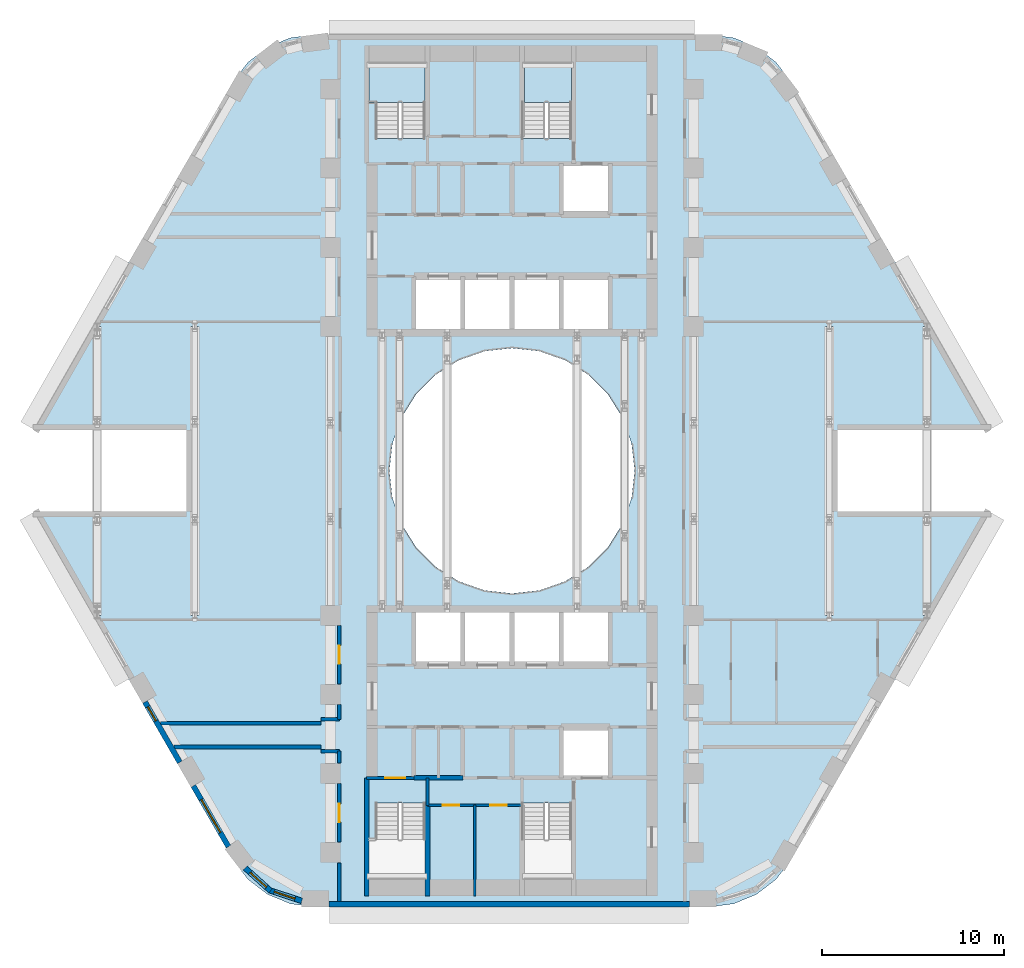
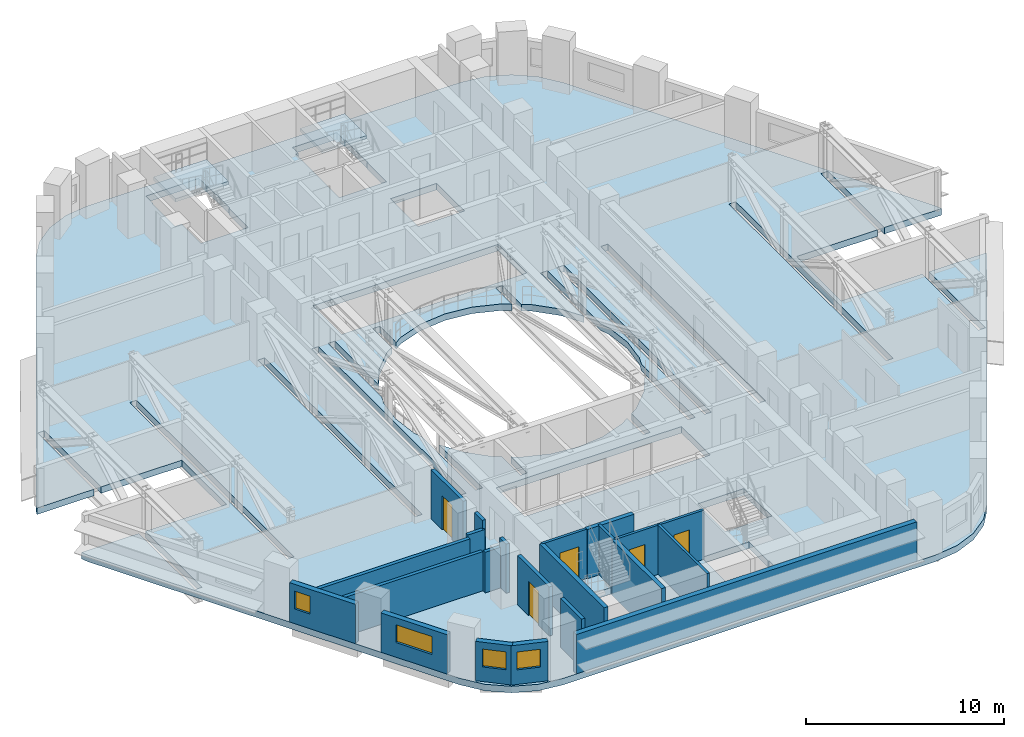
# One storey, part 6 of 18: 21 walls, 5 doors, 4 windows, 3 slabs, 9 openings, 2 elements without a shape of their own.
"""IFC4 building model written with IfcOpenShell, lengths in metres."""

from ifc_helpers import new_model, si_unit, direction, frame, frame_2d, origin, place, context, subcontext, project, spatial, polyline, rectangle, outline, extrude, material, layer, layer_set, type_object, element, fill, aggregate, save


model = new_model("IFC4")

# Units and contexts
model_context = context("Model", 3, precision=1e-05, world=origin(), true_north=direction((0.0, 1.0)))
body_context = subcontext(model_context, "Body", "Model", "MODEL_VIEW")
ifc_project = project(units=[si_unit("LENGTHUNIT", "METRE"), si_unit("AREAUNIT", "SQUARE_METRE"), si_unit("VOLUMEUNIT", "CUBIC_METRE"), si_unit("PLANEANGLEUNIT", "RADIAN"), si_unit("MASSUNIT", "GRAM", prefix="KILO")], contexts=[model_context])

# Site, building, storey
site_placement = place(None, origin())
site = spatial("IfcSite", under=ifc_project, at=site_placement, CompositionType="ELEMENT")
building_placement = place(site_placement, origin())
building = spatial("IfcBuilding", under=site, at=building_placement, Name="Nakaniwa Court", CompositionType="ELEMENT")
storey_placement = place(building_placement, frame((0.0, 0.0, 38.10009765625)))
storey = spatial("IfcBuildingStorey", under=building, at=storey_placement, Name="L09", CompositionType="ELEMENT", Elevation=38.10009765625)

# Slab
ifc_material_1 = material(Name="Concrete C100/115", Category="concrete")
ifc_layer_1 = layer(ifc_material_1, 0.39990234375)
ifc_layer_set_1 = layer_set([ifc_layer_1], Name="Concrete C100/115")
slab_type_1 = type_object("IfcSlabType", Name="Concrete C100/115 post tensioned floor slab 400", PredefinedType="FLOOR", material=ifc_layer_set_1)
slab_1_placement = place(storey_placement, frame((0.0, 0.0, -0.400146484375)))
element("IfcSlab", 1, at=slab_1_placement, inside=storey, type_object=slab_type_1, Name="FLOOR SLAB", PredefinedType="FLOOR", context=body_context, shape_type="SweptSolid", body=[
    extrude(outline(polyline([(97.908447265625, 77.75), (97.908447265625, 82.25), (102.623046875, 82.25), (102.623046875, 87.949951171875), (103.02294921875, 87.949951171875), (103.02294921875, 82.25), (106.356689453125, 82.25), (106.211669921875, 82.60009765625), (95.357421875, 101.39990234375), (94.531005859375, 102.47705078125), (93.4541015625, 103.30322265625), (92.199951171875, 103.82275390625), (90.854248046875, 104.0), (69.145751953125, 104.0), (67.800048828125, 103.82275390625), (66.5458984375, 103.30322265625), (65.468994140625, 102.47705078125), (64.642578125, 101.39990234375), (53.788330078125, 82.60009765625), (53.643310546875, 82.25), (56.97705078125, 82.25), (56.97705078125, 87.949951171875), (57.376953125, 87.949951171875), (57.376953125, 82.25), (62.091552734375, 82.25), (62.091552734375, 77.75), (57.376953125, 77.75), (57.376953125, 72.050048828125), (56.97705078125, 72.050048828125), (56.97705078125, 77.75), (53.643310546875, 77.75), (53.788330078125, 77.39990234375), (64.642578125, 58.60009765625), (65.468994140625, 57.52294921875), (66.5458984375, 56.69677734375), (67.800048828125, 56.17724609375), (69.145751953125, 56.0), (90.854248046875, 56.0), (92.199951171875, 56.17724609375), (93.4541015625, 56.69677734375), (94.531005859375, 57.52294921875), (95.357421875, 58.60009765625), (106.211669921875, 77.39990234375), (106.356689453125, 77.75), (103.02294921875, 77.75), (103.02294921875, 72.050048828125), (102.623046875, 72.050048828125), (102.623046875, 77.75), (97.908447265625, 77.75)]), holes=[polyline([(83.375, 87.449951171875), (83.375, 85.801025390625), (82.9287109375, 86.08154296875), (81.501953125, 86.580810546875), (80.0, 86.75), (78.498046875, 86.580810546875), (77.0712890625, 86.08154296875), (76.625, 85.801025390625), (76.625, 87.449951171875), (76.22509765625, 87.449951171875), (76.22509765625, 85.5498046875), (75.79150390625, 85.27734375), (74.72265625, 84.20849609375), (74.0078125, 83.071044921875), (74.0078125, 87.449951171875), (73.60791015625, 87.449951171875), (73.60791015625, 82.041259765625), (73.419189453125, 81.501953125), (73.25, 80.0), (73.419189453125, 78.498046875), (73.60791015625, 77.958740234375), (73.60791015625, 72.550048828125), (74.0078125, 72.550048828125), (74.0078125, 76.928955078125), (74.72265625, 75.79150390625), (75.79150390625, 74.72265625), (76.22509765625, 74.4501953125), (76.22509765625, 72.550048828125), (76.625, 72.550048828125), (76.625, 74.198974609375), (77.0712890625, 73.91845703125), (78.498046875, 73.419189453125), (80.0, 73.25), (81.501953125, 73.419189453125), (82.9287109375, 73.91845703125), (83.375, 74.198974609375), (83.375, 72.550048828125), (83.77490234375, 72.550048828125), (83.77490234375, 74.4501953125), (84.20849609375, 74.72265625), (85.27734375, 75.79150390625), (85.9921875, 76.928955078125), (85.9921875, 72.550048828125), (86.39208984375, 72.550048828125), (86.39208984375, 77.958740234375), (86.580810546875, 78.498046875), (86.75, 80.0), (86.580810546875, 81.501953125), (86.39208984375, 82.041259765625), (86.39208984375, 87.449951171875), (85.9921875, 87.449951171875), (85.9921875, 83.071044921875), (85.27734375, 84.20849609375), (84.20849609375, 85.27734375), (83.77490234375, 85.5498046875), (83.77490234375, 87.449951171875), (83.375, 87.449951171875)]), polyline([(72.47509765625, 61.7099609375), (72.47509765625, 59.764892578125), (72.0849609375, 59.764892578125), (72.0849609375, 57.4599609375), (72.125, 57.4599609375), (72.125, 56.72509765625), (75.22509765625, 56.72509765625), (75.22509765625, 57.324951171875), (75.22509765625, 57.4599609375), (75.264892578125, 57.4599609375), (75.264892578125, 59.764892578125), (75.22509765625, 59.764892578125), (75.22509765625, 61.7099609375), (72.47509765625, 61.7099609375)]), polyline([(82.699951171875, 69.300048828125), (85.39990234375, 69.300048828125), (85.39990234375, 72.199951171875), (82.699951171875, 72.199951171875), (80.0, 72.199951171875), (77.300048828125, 72.199951171875), (74.60009765625, 72.199951171875), (74.60009765625, 69.300048828125), (77.300048828125, 69.300048828125), (80.0, 69.300048828125), (82.699951171875, 69.300048828125)]), polyline([(82.699951171875, 87.800048828125), (85.39990234375, 87.800048828125), (85.39990234375, 90.699951171875), (82.699951171875, 90.699951171875), (80.0, 90.699951171875), (77.300048828125, 90.699951171875), (74.60009765625, 90.699951171875), (74.60009765625, 87.800048828125), (77.300048828125, 87.800048828125), (80.0, 87.800048828125), (82.699951171875, 87.800048828125)]), polyline([(75.264892578125, 100.235107421875), (75.264892578125, 102.5400390625), (75.22509765625, 102.5400390625), (75.22509765625, 102.675048828125), (75.22509765625, 103.27490234375), (72.125, 103.27490234375), (72.125, 102.5400390625), (72.0849609375, 102.5400390625), (72.0849609375, 100.235107421875), (72.47509765625, 100.235107421875), (72.47509765625, 98.2900390625), (75.22509765625, 98.2900390625), (75.22509765625, 100.235107421875), (75.264892578125, 100.235107421875)]), polyline([(80.52490234375, 61.7099609375), (80.52490234375, 57.324951171875), (80.675048828125, 57.324951171875), (80.675048828125, 56.72509765625), (83.27490234375, 56.72509765625), (83.27490234375, 57.324951171875), (83.27490234375, 57.4599609375), (83.31494140625, 57.4599609375), (83.31494140625, 59.764892578125), (83.27490234375, 59.764892578125), (83.27490234375, 61.7099609375), (80.52490234375, 61.7099609375)]), polyline([(82.699951171875, 65.89990234375), (82.699951171875, 63.10009765625), (85.39990234375, 63.10009765625), (85.39990234375, 65.89990234375), (82.699951171875, 65.89990234375)]), polyline([(82.699951171875, 96.89990234375), (82.699951171875, 94.10009765625), (85.39990234375, 94.10009765625), (85.39990234375, 96.89990234375), (82.699951171875, 96.89990234375)]), polyline([(83.31494140625, 100.235107421875), (83.31494140625, 102.5400390625), (83.27490234375, 102.5400390625), (83.27490234375, 102.675048828125), (83.27490234375, 103.27490234375), (80.675048828125, 103.27490234375), (80.675048828125, 102.675048828125), (80.52490234375, 102.675048828125), (80.52490234375, 98.2900390625), (83.27490234375, 98.2900390625), (83.27490234375, 100.235107421875), (83.31494140625, 100.235107421875)]), polyline([(62.741943359375, 87.949951171875), (62.342041015625, 87.949951171875), (62.342041015625, 72.050048828125), (62.741943359375, 72.050048828125), (62.741943359375, 87.949951171875)]), polyline([(70.199951171875, 87.949951171875), (69.800048828125, 87.949951171875), (69.800048828125, 72.050048828125), (70.199951171875, 72.050048828125), (70.199951171875, 87.949951171875)]), polyline([(72.64990234375, 87.449951171875), (72.64990234375, 72.550048828125), (73.050048828125, 72.550048828125), (73.050048828125, 87.449951171875), (72.64990234375, 87.449951171875)]), polyline([(87.35009765625, 87.449951171875), (86.949951171875, 87.449951171875), (86.949951171875, 72.550048828125), (87.35009765625, 72.550048828125), (87.35009765625, 87.449951171875)]), polyline([(89.800048828125, 87.949951171875), (89.800048828125, 72.050048828125), (90.199951171875, 72.050048828125), (90.199951171875, 87.949951171875), (89.800048828125, 87.949951171875)]), polyline([(97.657958984375, 87.949951171875), (97.258056640625, 87.949951171875), (97.258056640625, 72.050048828125), (97.657958984375, 72.050048828125), (97.657958984375, 87.949951171875)])]), origin(), (0.0, 0.0, 1.0), 0.400146484375),
])

# Stair, slab
ifc_material_2 = material(Name="Concrete C80/100", Category="concrete")
stair_type = type_object("IfcStairType", Name="Dog leg stair 1300 wide 18 risers", PredefinedType="HALF_TURN_STAIR", material=ifc_material_2)
stair_1_placement = place(storey_placement, origin())
stair_1 = element("IfcStair", 2, at=stair_1_placement, inside=storey, type_object=stair_type, Name="L09 Stair ST1", PredefinedType="HALF_TURN_STAIR")
ifc_layer_2 = layer(ifc_material_2, 0.199951171875)
ifc_layer_set_2 = layer_set([ifc_layer_2], Name="Concrete C80/100")
slab_type_2 = type_object("IfcSlabType", Name="Stair landing concrete", PredefinedType="LANDING", material=ifc_layer_set_2)
slab_2_placement = place(storey_placement, frame((0.0, 0.0, 1.449951171875)))
slab_2 = element("IfcSlab", 3, at=slab_2_placement, type_object=slab_type_2, Name="ST1 landing 1", PredefinedType="LANDING", context=body_context, shape_type="SweptSolid", body=[
    extrude(outline(polyline([(75.22509765625, 100.27490234375), (75.22509765625, 102.5), (72.125, 102.5), (72.125, 100.27490234375), (75.22509765625, 100.27490234375)])), origin(), (0.0, 0.0, 1.0), 0.199951171875),
])
aggregate(stair_1, [slab_2])

stair_2_placement = place(storey_placement, origin())
stair_2 = element("IfcStair", 4, at=stair_2_placement, inside=storey, type_object=stair_type, Name="L09 Stair ST2", PredefinedType="HALF_TURN_STAIR")
slab_3_placement = place(storey_placement, frame((0.0, 0.0, 1.449951171875)))
slab_3 = element("IfcSlab", 5, at=slab_3_placement, type_object=slab_type_2, Name="ST2 landing 1", PredefinedType="LANDING", context=body_context, shape_type="SweptSolid", body=[
    extrude(outline(polyline([(83.27490234375, 100.27490234375), (83.27490234375, 102.5), (80.675048828125, 102.5), (80.675048828125, 100.27490234375), (83.27490234375, 100.27490234375)])), origin(), (0.0, 0.0, 1.0), 0.199951171875),
])
aggregate(stair_2, [slab_3])

# Walls
ifc_material_3 = material(Name="Acoustic double stud partition")
ifc_layer_3 = layer(ifc_material_3, 0.199951171875)
ifc_layer_set_3 = layer_set([ifc_layer_3], Name="Acoustic double stud partition")
wall_type_1 = type_object("IfcWallType", Name="Acoustic double stud partition 200", PredefinedType="PARTITIONING", material=ifc_layer_set_3)
wall_1_placement = place(storey_placement, frame((69.5, 66.324951171875, 0.0), z_axis=(0.0, 0.0, 1.0), x_axis=(1.0, 0.0, 0.0)))
element("IfcWall", 6, at=wall_1_placement, inside=storey, type_object=wall_type_1, Name="Partition PW-085", PredefinedType="PARTITIONING", context=body_context, shape_type="SweptSolid", body=[
    extrude(rectangle(XDim=1.0, YDim=0.199951171875, at=frame_2d((0.5, 0.0))), origin(), (0.0, 0.0, 1.0), 2.5048828125),
])
wall_2_placement = place(storey_placement, frame((60.65869140625, 66.10009765625, 0.0), z_axis=(0.0, 0.0, 1.0), x_axis=(1.0, 0.0, 0.0)))
element("IfcWall", 7, at=wall_2_placement, inside=storey, type_object=wall_type_1, Name="Partition PW-087", PredefinedType="PARTITIONING", context=body_context, shape_type="SweptSolid", body=[
    extrude(rectangle(XDim=8.84130859375, YDim=0.199951171875, at=frame_2d((4.420654296875, 0.0))), origin(), (0.0, 0.0, 1.0), 2.40478515625),
])
wall_3_placement = place(storey_placement, frame((61.4091796875, 64.800048828125, 0.0), z_axis=(0.0, 0.0, 1.0), x_axis=(1.0, 0.0, 0.0)))
element("IfcWall", 8, at=wall_3_placement, inside=storey, type_object=wall_type_1, Name="Partition PW-089", PredefinedType="PARTITIONING", context=body_context, shape_type="SweptSolid", body=[
    extrude(rectangle(XDim=8.0908203125, YDim=0.199951171875, at=frame_2d((4.04541015625, 0.0))), origin(), (0.0, 0.0, 1.0), 2.40478515625),
])
wall_4_placement = place(storey_placement, frame((69.5, 64.574951171875, 0.0), z_axis=(0.0, 0.0, 1.0), x_axis=(1.0, 0.0, 0.0)))
element("IfcWall", 9, at=wall_4_placement, inside=storey, type_object=wall_type_1, Name="Partition PW-091", PredefinedType="PARTITIONING", context=body_context, shape_type="SweptSolid", body=[
    extrude(rectangle(XDim=1.0, YDim=0.199951171875, at=frame_2d((0.5, 0.0))), origin(), (0.0, 0.0, 1.0), 2.5048828125),
])
wall_5_placement = place(storey_placement, frame((70.5, 56.300048828125, 0.0), z_axis=(0.0, 0.0, 1.0), x_axis=(0.0, 1.0, 0.0)))
element("IfcWall", 10, at=wall_5_placement, inside=storey, type_object=wall_type_1, Name="Partition PW-093", PredefinedType="PARTITIONING", context=body_context, shape_type="SweptSolid", body=[
    extrude(rectangle(XDim=2.133056640625, YDim=0.199951171875, at=frame_2d((1.06640625, 0.0))), origin(), (0.0, 0.0, 1.0), 3.02490234375),
])

# Wall, opening, door
wall_6_placement = place(storey_placement, frame((70.5, 59.56689453125, 0.0), z_axis=(0.0, 0.0, 1.0), x_axis=(0.0, 1.0, 0.0)))
wall_6 = element("IfcWall", 11, at=wall_6_placement, inside=storey, type_object=wall_type_1, Name="Partition PW-094", PredefinedType="PARTITIONING", context=body_context, shape_type="SweptSolid", body=[
    extrude(rectangle(XDim=3.216064453125, YDim=0.199951171875, at=frame_2d((1.60791015625, 0.0))), origin(), (0.0, 0.0, 1.0), 3.02490234375),
])
opening_1_placement = place(wall_6_placement, frame((1.10791015625, 0.0, 0.0)))
opening_1 = element("IfcOpeningElement", 12, at=opening_1_placement, cuts=wall_6, Name="Opening D-02-05", PredefinedType="OPENING", context=body_context, shape_type="SweptSolid", body=[
    extrude(rectangle(XDim=1.0, YDim=2.10009765625, at=frame_2d((0.5, 1.050048828125))), frame((0.0, 0.10986328125, 0.0), z_axis=(0.0, -1.0, 0.0), x_axis=(1.0, 0.0, 0.0)), (0.0, 0.0, 1.0), 0.219970703125),
])
ifc_material_4 = material(Name="Solid core timber door set, black veneer", Category="wood")
door_type_1 = type_object("IfcDoorType", Name="Internal door 1000", OperationType="NOTDEFINED", PredefinedType="DOOR", material=ifc_material_4)
door_1_placement = place(opening_1_placement, origin())
door_1 = element("IfcDoor", 13, at=door_1_placement, inside=storey, type_object=door_type_1, Name="Door D-02-05 L09-035", OperationType="SINGLE_SWING_RIGHT", OverallHeight=2.10009765625, OverallWidth=1.0, PredefinedType="DOOR", context=body_context, shape_type="SweptSolid", body=[
    extrude(rectangle(XDim=1.0, YDim=2.10009765625, at=frame_2d((0.5, 1.050048828125))), frame((0.0, 0.02490234375, 0.0), z_axis=(0.0, -1.0, 0.0), x_axis=(1.0, 0.0, 0.0)), (0.0, 0.0, 1.0), 0.050048828125),
])
fill(opening_1, door_1)

# Walls
wall_7_placement = place(storey_placement, frame((70.5, 63.9169921875, 0.0), z_axis=(0.0, 0.0, 1.0), x_axis=(0.0, 1.0, 0.0)))
element("IfcWall", 14, at=wall_7_placement, inside=storey, type_object=wall_type_1, Name="Partition PW-095", PredefinedType="PARTITIONING", context=body_context, shape_type="SweptSolid", body=[
    extrude(rectangle(XDim=0.660888671875, YDim=0.199951171875, at=frame_2d((0.33056640625, 0.0))), origin(), (0.0, 0.0, 1.0), 3.02490234375),
])
wall_8_placement = place(storey_placement, frame((70.5, 66.322021484375, 0.0), z_axis=(0.0, 0.0, 1.0), x_axis=(0.0, 1.0, 0.0)))
element("IfcWall", 15, at=wall_8_placement, inside=storey, type_object=wall_type_1, Name="Partition PW-096", PredefinedType="PARTITIONING", context=body_context, shape_type="SweptSolid", body=[
    extrude(rectangle(XDim=0.81103515625, YDim=0.199951171875, at=frame_2d((0.405517578125, 0.0))), origin(), (0.0, 0.0, 1.0), 3.02490234375),
])

# Wall, opening, door
wall_9_placement = place(storey_placement, frame((70.5, 68.26708984375, 0.0), z_axis=(0.0, 0.0, 1.0), x_axis=(0.0, 1.0, 0.0)))
wall_9 = element("IfcWall", 16, at=wall_9_placement, inside=storey, type_object=wall_type_1, Name="Partition PW-097", PredefinedType="PARTITIONING", context=body_context, shape_type="SweptSolid", body=[
    extrude(rectangle(XDim=3.2158203125, YDim=0.199951171875, at=frame_2d((1.60791015625, 0.0))), origin(), (0.0, 0.0, 1.0), 3.02490234375),
])
opening_2_placement = place(wall_9_placement, frame((1.10791015625, 0.0, 0.0)))
opening_2 = element("IfcOpeningElement", 17, at=opening_2_placement, cuts=wall_9, Name="Opening D-02-01", PredefinedType="OPENING", context=body_context, shape_type="SweptSolid", body=[
    extrude(rectangle(XDim=1.0, YDim=2.10009765625, at=frame_2d((0.5, 1.050048828125))), frame((0.0, 0.10986328125, 0.0), z_axis=(0.0, -1.0, 0.0), x_axis=(1.0, 0.0, 0.0)), (0.0, 0.0, 1.0), 0.219970703125),
])
door_2_placement = place(opening_2_placement, origin())
door_2 = element("IfcDoor", 18, at=door_2_placement, inside=storey, type_object=door_type_1, Name="Door D-02-01 L09-031", OperationType="SINGLE_SWING_RIGHT", OverallHeight=2.10009765625, OverallWidth=1.0, PredefinedType="DOOR", context=body_context, shape_type="SweptSolid", body=[
    extrude(rectangle(XDim=1.0, YDim=2.10009765625, at=frame_2d((0.5, 1.050048828125))), frame((0.0, 0.02490234375, 0.0), z_axis=(0.0, -1.0, 0.0), x_axis=(1.0, 0.0, 0.0)), (0.0, 0.0, 1.0), 0.050048828125),
])
fill(opening_2, door_2)

# Wall, opening, window
ifc_material_5 = material(Name="Charcoal ceramic cladding")
ifc_layer_4 = layer(ifc_material_5, 0.02, Name="Ceramic cladding")
ifc_material_6 = material(Name="Ventilated air cavity")
ifc_layer_5 = layer(ifc_material_6, 0.04, ventilated=True, Name="Ventilated cavity")
ifc_material_7 = material(Name="Mineral wool insulation")
ifc_layer_6 = layer(ifc_material_7, 0.1, Name="Insulation")
ifc_material_8 = material(Name="Cement bonded sheathing board")
ifc_layer_7 = layer(ifc_material_8, 0.012, Name="Sheathing")
ifc_material_9 = material(Name="Cold-formed galvanised stud frame with mineral wool infill")
ifc_layer_8 = layer(ifc_material_9, 0.1, Name="Stud frame")
ifc_material_10 = material(Name="Fire-rated gypsum plasterboard lining")
ifc_layer_9 = layer(ifc_material_10, 0.028, Name="Lining")
ifc_layer_set_4 = layer_set([ifc_layer_4, ifc_layer_5, ifc_layer_6, ifc_layer_7, ifc_layer_8, ifc_layer_9], Name="Charcoal ceramic faced external wall system")
wall_type_2 = type_object("IfcWallType", Name="Black ceramic faced external wall 300", PredefinedType="SOLIDWALL", material=ifc_layer_set_4)
wall_10_placement = place(storey_placement, frame((59.8046875, 67.279296875, 0.0), z_axis=(0.0, 0.0, 1.0), x_axis=(0.500001735503, -0.866024401789, 0.0)))
wall_10 = element("IfcWall", 19, at=wall_10_placement, inside=storey, type_object=wall_type_2, Name="L09 external wall 14", PredefinedType="SOLIDWALL", context=body_context, shape_type="SweptSolid", body=[
    extrude(rectangle(XDim=3.833984375, YDim=0.300048828125, at=frame_2d((1.9169921875, 0.0))), origin(), (0.0, 0.0, 1.0), 2.4248046875),
])
opening_3_placement = place(wall_10_placement, frame((0.304931640625, 0.0, 0.89990234375)))
opening_3 = element("IfcOpeningElement", 20, at=opening_3_placement, cuts=wall_10, Name="Opening W9.11", PredefinedType="OPENING", context=body_context, shape_type="SweptSolid", body=[
    extrude(rectangle(XDim=0.89990234375, YDim=1.10009765625, at=frame_2d((0.449951171875, 0.550048828125))), frame((0.0, 0.159912109375, 0.0), z_axis=(0.0, -1.0, 0.0), x_axis=(1.0, 0.0, 0.0)), (0.0, 0.0, 1.0), 0.320068359375),
])
ifc_material_11 = material(Name="Black anodised aluminium frame with dark low-E laminated double glazing", Category="aluminium")
window_type_1 = type_object("IfcWindowType", Name="Dark glass window 900x1100 sill 900", PartitioningType="SINGLE_PANEL", PredefinedType="WINDOW", material=ifc_material_11)
window_1_placement = place(opening_3_placement, origin())
window_1 = element("IfcWindow", 21, at=window_1_placement, inside=storey, type_object=window_type_1, Name="L09 habitable room window 14-0", OverallHeight=1.10009765625, OverallWidth=0.89990234375, PartitioningType="SINGLE_PANEL", PredefinedType="WINDOW", context=body_context, shape_type="SweptSolid", body=[
    extrude(rectangle(XDim=0.89990234375, YDim=1.10009765625, at=frame_2d((0.449951171875, 0.550048828125))), frame((0.0, 0.030029296875, 0.0), z_axis=(0.0, -1.0, 0.0), x_axis=(1.0, 0.0, 0.0)), (0.0, 0.0, 1.0), 0.06005859375),
])
fill(opening_3, window_1)

wall_11_placement = place(storey_placement, frame((62.4677734375, 62.6669921875, 0.0), z_axis=(0.0, 0.0, 1.0), x_axis=(0.499948341072, -0.866055227026, 0.0)))
wall_11 = element("IfcWall", 22, at=wall_11_placement, inside=storey, type_object=wall_type_2, Name="L09 external wall 15", PredefinedType="SOLIDWALL", context=body_context, shape_type="SweptSolid", body=[
    extrude(rectangle(XDim=3.8671875, YDim=0.300048828125, at=frame_2d((1.93359375, 0.0))), origin(), (0.0, 0.0, 1.0), 2.4248046875),
])
opening_4_placement = place(wall_11_placement, frame((0.872314453125, 0.0, 0.89990234375)))
opening_4 = element("IfcOpeningElement", 23, at=opening_4_placement, cuts=wall_11, Name="Opening W7.12", PredefinedType="OPENING", context=body_context, shape_type="SweptSolid", body=[
    extrude(rectangle(XDim=2.10009765625, YDim=1.10009765625, at=frame_2d((1.050048828125, 0.550048828125))), frame((0.0, 0.159912109375, 0.0), z_axis=(0.0, -1.0, 0.0), x_axis=(1.0, 0.0, 0.0)), (0.0, 0.0, 1.0), 0.320068359375),
])
window_type_2 = type_object("IfcWindowType", Name="Dark glass window 2100x1100 sill 900", PartitioningType="SINGLE_PANEL", PredefinedType="WINDOW", material=ifc_material_11)
window_2_placement = place(opening_4_placement, origin())
window_2 = element("IfcWindow", 24, at=window_2_placement, inside=storey, type_object=window_type_2, Name="L09 habitable room window 15-0", OverallHeight=1.10009765625, OverallWidth=2.10009765625, PartitioningType="SINGLE_PANEL", PredefinedType="WINDOW", context=body_context, shape_type="SweptSolid", body=[
    extrude(rectangle(XDim=2.10009765625, YDim=1.10009765625, at=frame_2d((1.050048828125, 0.550048828125))), frame((0.0, 0.030029296875, 0.0), z_axis=(0.0, -1.0, 0.0), x_axis=(1.0, 0.0, 0.0)), (0.0, 0.0, 1.0), 0.06005859375),
])
fill(opening_4, window_2)

wall_12_placement = place(storey_placement, frame((65.3203125, 58.142578125, 0.0), z_axis=(0.0, 0.0, 1.0), x_axis=(0.7435526378, -0.668677407141, 0.0)))
wall_12 = element("IfcWall", 25, at=wall_12_placement, inside=storey, type_object=wall_type_2, Name="L09 external wall 16", PredefinedType="SOLIDWALL", context=body_context, shape_type="SweptSolid", body=[
    extrude(rectangle(XDim=1.878173828125, YDim=0.300048828125, at=frame_2d((0.93896484375, 0.0))), origin(), (0.0, 0.0, 1.0), 2.4248046875),
])
opening_5_placement = place(wall_12_placement, frame((0.366943359375, 0.0, 0.89990234375)))
opening_5 = element("IfcOpeningElement", 26, at=opening_5_placement, cuts=wall_12, Name="Opening W6.13", PredefinedType="OPENING", context=body_context, shape_type="SweptSolid", body=[
    extrude(rectangle(XDim=1.199951171875, YDim=1.10009765625, at=frame_2d((0.60009765625, 0.550048828125))), frame((0.0, 0.159912109375, 0.0), z_axis=(0.0, -1.0, 0.0), x_axis=(1.0, 0.0, 0.0)), (0.0, 0.0, 1.0), 0.320068359375),
])
window_type_3 = type_object("IfcWindowType", Name="Dark glass window 1200x1100 sill 900", PartitioningType="SINGLE_PANEL", PredefinedType="WINDOW", material=ifc_material_11)
window_3_placement = place(opening_5_placement, origin())
window_3 = element("IfcWindow", 27, at=window_3_placement, inside=storey, type_object=window_type_3, Name="L09 habitable room window 16-0", OverallHeight=1.10009765625, OverallWidth=1.199951171875, PartitioningType="SINGLE_PANEL", PredefinedType="WINDOW", context=body_context, shape_type="SweptSolid", body=[
    extrude(rectangle(XDim=1.199951171875, YDim=1.10009765625, at=frame_2d((0.60009765625, 0.550048828125))), frame((0.0, 0.030029296875, 0.0), z_axis=(0.0, -1.0, 0.0), x_axis=(1.0, 0.0, 0.0)), (0.0, 0.0, 1.0), 0.06005859375),
])
fill(opening_5, window_3)

wall_13_placement = place(storey_placement, frame((66.6240234375, 56.932861328125, 0.0), z_axis=(0.0, 0.0, 1.0), x_axis=(0.949246659442, -0.314532636683, 0.0)))
wall_13 = element("IfcWall", 28, at=wall_13_placement, inside=storey, type_object=wall_type_2, Name="L09 external wall 17", PredefinedType="SOLIDWALL", context=body_context, shape_type="SweptSolid", body=[
    extrude(rectangle(XDim=1.901611328125, YDim=0.300048828125, at=frame_2d((0.95068359375, 0.0))), origin(), (0.0, 0.0, 1.0), 2.4248046875),
])
opening_6_placement = place(wall_13_placement, frame((0.31005859375, 0.0, 0.89990234375)))
opening_6 = element("IfcOpeningElement", 29, at=opening_6_placement, cuts=wall_13, Name="Opening W6.14", PredefinedType="OPENING", context=body_context, shape_type="SweptSolid", body=[
    extrude(rectangle(XDim=1.199951171875, YDim=1.10009765625, at=frame_2d((0.60009765625, 0.550048828125))), frame((0.0, 0.159912109375, 0.0), z_axis=(0.0, -1.0, 0.0), x_axis=(1.0, 0.0, 0.0)), (0.0, 0.0, 1.0), 0.320068359375),
])
window_4_placement = place(opening_6_placement, origin())
window_4 = element("IfcWindow", 30, at=window_4_placement, inside=storey, type_object=window_type_3, Name="L09 habitable room window 17-0", OverallHeight=1.10009765625, OverallWidth=1.199951171875, PartitioningType="SINGLE_PANEL", PredefinedType="WINDOW", context=body_context, shape_type="SweptSolid", body=[
    extrude(rectangle(XDim=1.199951171875, YDim=1.10009765625, at=frame_2d((0.60009765625, 0.550048828125))), frame((0.0, 0.030029296875, 0.0), z_axis=(0.0, -1.0, 0.0), x_axis=(1.0, 0.0, 0.0)), (0.0, 0.0, 1.0), 0.06005859375),
])
fill(opening_6, window_4)

# Wall
wall_14_placement = place(storey_placement, frame((69.92138671875, 56.14990234375, 0.0), z_axis=(0.0, 0.0, 1.0), x_axis=(1.0, 0.0, 0.0)))
element("IfcWall", 31, at=wall_14_placement, inside=storey, type_object=wall_type_2, Name="L09 external wall 18", PredefinedType="SOLIDWALL", context=body_context, shape_type="SweptSolid", body=[
    extrude(rectangle(XDim=19.839599609375, YDim=0.300048828125, at=frame_2d((9.919921875, 0.0))), origin(), (0.0, 0.0, 1.0), 2.4248046875),
])

# Wall, openings, doors
ifc_material_12 = material(Name="Blockwork partition", Category="masonry")
ifc_layer_10 = layer(ifc_material_12, 0.14990234375)
ifc_layer_set_5 = layer_set([ifc_layer_10], Name="Blockwork partition")
wall_type_3 = type_object("IfcWallType", Name="Blockwork partition 150", PredefinedType="PARTITIONING", material=ifc_layer_set_5)
wall_15_placement = place(storey_placement, frame((80.550048828125, 61.60009765625, 0.0), z_axis=(0.0, 0.0, 1.0), x_axis=(-1.0, 0.0, 0.0)))
wall_15 = element("IfcWall", 32, at=wall_15_placement, inside=storey, type_object=wall_type_3, Name="Partition PW-067", PredefinedType="PARTITIONING", context=body_context, shape_type="SweptSolid", body=[
    extrude(rectangle(XDim=5.199951171875, YDim=0.14990234375, at=frame_2d((2.60009765625, 0.0))), origin(), (0.0, 0.0, 1.0), 3.02490234375),
])
opening_7_placement = place(wall_15_placement, frame((3.449951171875, 0.0, 0.0)))
opening_7 = element("IfcOpeningElement", 33, at=opening_7_placement, cuts=wall_15, Name="Opening D-05-15", PredefinedType="OPENING", context=body_context, shape_type="SweptSolid", body=[
    extrude(rectangle(XDim=0.89990234375, YDim=2.10009765625, at=frame_2d((0.449951171875, 1.050048828125))), frame((0.0, 0.0849609375, 0.0), z_axis=(0.0, -1.0, 0.0), x_axis=(1.0, 0.0, 0.0)), (0.0, 0.0, 1.0), 0.169921875),
])
opening_8_placement = place(wall_15_placement, frame((0.85009765625, 0.0, 0.0)))
opening_8 = element("IfcOpeningElement", 34, at=opening_8_placement, cuts=wall_15, Name="Opening D-05-16", PredefinedType="OPENING", context=body_context, shape_type="SweptSolid", body=[
    extrude(rectangle(XDim=0.89990234375, YDim=2.10009765625, at=frame_2d((0.449951171875, 1.050048828125))), frame((0.0, 0.0849609375, 0.0), z_axis=(0.0, -1.0, 0.0), x_axis=(1.0, 0.0, 0.0)), (0.0, 0.0, 1.0), 0.169921875),
])
ifc_material_13 = material(Name="Fire rated steel door set", Category="steel")
door_type_2 = type_object("IfcDoorType", Name="Service room door 900", OperationType="NOTDEFINED", PredefinedType="DOOR", material=ifc_material_13)
door_3_placement = place(opening_7_placement, origin())
door_3 = element("IfcDoor", 35, at=door_3_placement, inside=storey, type_object=door_type_2, Name="Door D-05-15 L09-023", OperationType="SINGLE_SWING_RIGHT", OverallHeight=2.10009765625, OverallWidth=0.89990234375, PredefinedType="DOOR", context=body_context, shape_type="SweptSolid", body=[
    extrude(rectangle(XDim=0.89990234375, YDim=2.10009765625, at=frame_2d((0.449951171875, 1.050048828125))), frame((0.0, 0.02490234375, 0.0), z_axis=(0.0, -1.0, 0.0), x_axis=(1.0, 0.0, 0.0)), (0.0, 0.0, 1.0), 0.050048828125),
])
fill(opening_7, door_3)
door_4_placement = place(opening_8_placement, origin())
door_4 = element("IfcDoor", 36, at=door_4_placement, inside=storey, type_object=door_type_2, Name="Door D-05-16 L09-024", OperationType="SINGLE_SWING_LEFT", OverallHeight=2.10009765625, OverallWidth=0.89990234375, PredefinedType="DOOR", context=body_context, shape_type="SweptSolid", body=[
    extrude(rectangle(XDim=0.89990234375, YDim=2.10009765625, at=frame_2d((0.449951171875, 1.050048828125))), frame((0.0, 0.02490234375, 0.0), z_axis=(0.0, -1.0, 0.0), x_axis=(1.0, 0.0, 0.0)), (0.0, 0.0, 1.0), 0.050048828125),
])
fill(opening_8, door_4)

# Wall
wall_16_placement = place(storey_placement, frame((77.949951171875, 56.60009765625, 0.0), z_axis=(0.0, 0.0, 1.0), x_axis=(0.0, 1.0, 0.0)))
element("IfcWall", 37, at=wall_16_placement, inside=storey, type_object=wall_type_3, Name="Partition PW-068", PredefinedType="PARTITIONING", context=body_context, shape_type="SweptSolid", body=[
    extrude(rectangle(XDim=5.0, YDim=0.14990234375, at=frame_2d((2.5, 0.0))), origin(), (0.0, 0.0, 1.0), 3.02490234375),
])

# Wall, opening, door
ifc_layer_11 = layer(ifc_material_1, 0.14990234375)
ifc_layer_set_6 = layer_set([ifc_layer_11], Name="Concrete C100/115")
wall_type_4 = type_object("IfcWallType", Name="Concrete core wall 150 C100", PredefinedType="SHEAR", material=ifc_layer_set_6)
wall_17_placement = place(storey_placement, frame((72.0, 63.10009765625, -0.400146484375), z_axis=(0.0, 0.0, 1.0), x_axis=(1.0, 0.0, 0.0)))
wall_17 = element("IfcWall", 38, at=wall_17_placement, inside=storey, type_object=wall_type_4, Name="Core wall SW-56", PredefinedType="SHEAR", context=body_context, shape_type="SweptSolid", body=[
    extrude(rectangle(XDim=2.60009765625, YDim=0.14990234375, at=frame_2d((1.300048828125, 0.0))), origin(), (0.0, 0.0, 1.0), 3.425048828125),
])
opening_9_placement = place(wall_17_placement, frame((1.02001953125, 0.0, 0.39990234375)))
opening_9 = element("IfcOpeningElement", 39, at=opening_9_placement, cuts=wall_17, Name="Opening D-09-02", PredefinedType="OPENING", context=body_context, shape_type="SweptSolid", body=[
    extrude(rectangle(XDim=1.10009765625, YDim=2.10009765625, at=frame_2d((0.550048828125, 1.050048828125))), frame((0.0, 0.0849609375, 0.0), z_axis=(0.0, -1.0, 0.0), x_axis=(1.0, 0.0, 0.0)), (0.0, 0.0, 1.0), 0.169921875),
])
door_type_3 = type_object("IfcDoorType", Name="Stair door 1100", OperationType="NOTDEFINED", PredefinedType="DOOR", material=ifc_material_13)
door_5_placement = place(opening_9_placement, origin())
door_5 = element("IfcDoor", 40, at=door_5_placement, inside=storey, type_object=door_type_3, Name="Door D-09-02 L09-025", OperationType="SINGLE_SWING_LEFT", OverallHeight=2.10009765625, OverallWidth=1.10009765625, PredefinedType="DOOR", context=body_context, shape_type="SweptSolid", body=[
    extrude(rectangle(XDim=1.10009765625, YDim=2.10009765625, at=frame_2d((0.550048828125, 1.050048828125))), frame((0.0, 0.02490234375, 0.0), z_axis=(0.0, -1.0, 0.0), x_axis=(1.0, 0.0, 0.0)), (0.0, 0.0, 1.0), 0.050048828125),
])
fill(opening_9, door_5)

# Walls
wall_18_placement = place(storey_placement, frame((75.35009765625, 61.596923828125, -0.400146484375), z_axis=(0.0, 0.0, 1.0), x_axis=(0.0, 1.0, 0.0)))
element("IfcWall", 41, at=wall_18_placement, inside=storey, type_object=wall_type_4, Name="Core wall SW-61", PredefinedType="SHEAR", context=body_context, shape_type="SweptSolid", body=[
    extrude(rectangle(XDim=1.503173828125, YDim=0.14990234375, at=frame_2d((0.75146484375, 0.0))), origin(), (0.0, 0.0, 1.0), 3.425048828125),
])
ifc_layer_12 = layer(ifc_material_1, 0.25)
ifc_layer_set_7 = layer_set([ifc_layer_12], Name="Concrete C100/115")
wall_type_5 = type_object("IfcWallType", Name="Concrete core wall 250 C100", PredefinedType="SHEAR", material=ifc_layer_set_7)
wall_19_placement = place(storey_placement, frame((72.0, 56.60009765625, -0.400146484375), z_axis=(0.0, 0.0, 1.0), x_axis=(0.0, 1.0, 0.0)))
element("IfcWall", 42, at=wall_19_placement, inside=storey, type_object=wall_type_5, Name="Core wall SW-63", PredefinedType="SHEAR", context=body_context, shape_type="SweptSolid", body=[
    extrude(rectangle(XDim=6.5, YDim=0.25, at=frame_2d((3.25, 0.0))), origin(), (0.0, 0.0, 1.0), 3.425048828125),
])
ifc_layer_13 = layer(ifc_material_1, 0.25)
ifc_layer_set_8 = layer_set([ifc_layer_13], Name="Concrete C100/115")
wall_type_6 = type_object("IfcWallType", Name="Concrete shaft wall 250 C100", PredefinedType="SHEAR", material=ifc_layer_set_8)
wall_20_placement = place(storey_placement, frame((74.60009765625, 63.10009765625, -0.400146484375), z_axis=(0.0, 0.0, 1.0), x_axis=(1.0, 0.0, 0.0)))
element("IfcWall", 43, at=wall_20_placement, inside=storey, type_object=wall_type_6, Name="Core wall SW-58", PredefinedType="SHEAR", context=body_context, shape_type="SweptSolid", body=[
    extrude(rectangle(XDim=2.699951171875, YDim=0.25, at=frame_2d((1.35009765625, 0.0))), origin(), (0.0, 0.0, 1.0), 3.425048828125),
])
wall_21_placement = place(storey_placement, frame((75.35009765625, 56.60009765625, -0.400146484375), z_axis=(0.0, 0.0, 1.0), x_axis=(0.0, 1.0, 0.0)))
element("IfcWall", 44, at=wall_21_placement, inside=storey, type_object=wall_type_6, Name="Core wall SW-62", PredefinedType="SHEAR", context=body_context, shape_type="SweptSolid", body=[
    extrude(rectangle(XDim=5.0029296875, YDim=0.25, at=frame_2d((2.50146484375, 0.0))), origin(), (0.0, 0.0, 1.0), 3.425048828125),
])

save(model, "model.ifc")
